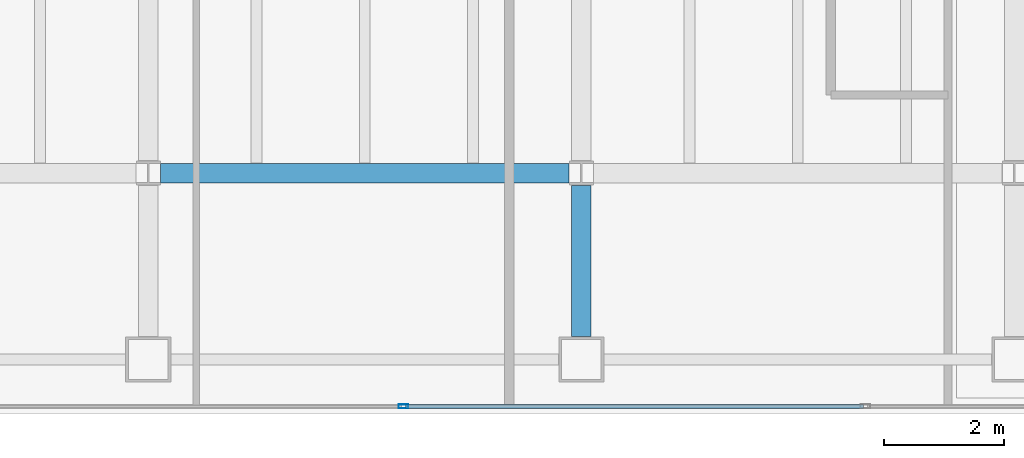
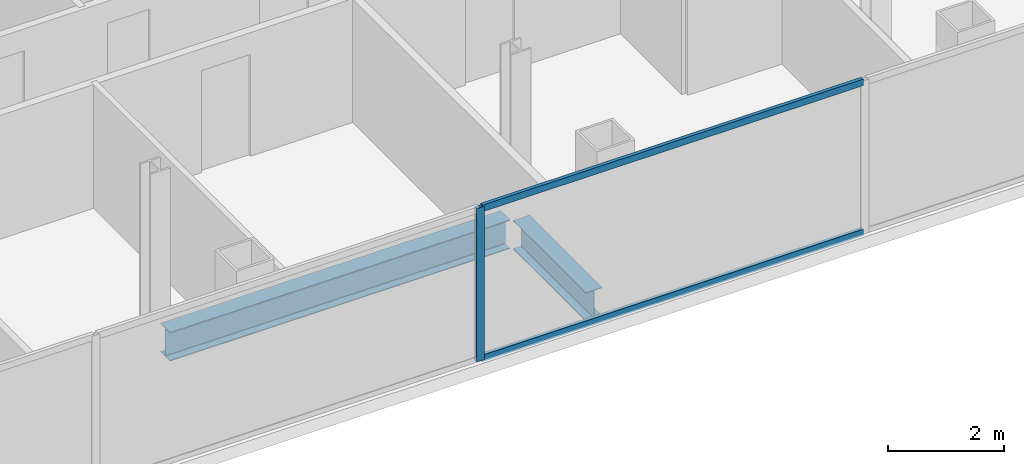
# One storey, part 6 of 23: 3 members, 2 beams, 1 element without a shape of its own.
"""IFC4 building model written with IfcOpenShell, lengths in metres."""

import ifcopenshell
import ifcopenshell.guid

model = None  # the IFC model being written
_history = None  # IfcOwnerHistory: only IFC2X3 demands one
_inside = {}  # id of a spatial element -> (the spatial element, [elements in it])
_under = {}  # id of a project, library or spatial element -> (it, [spatial elements below it])
_declared = {}  # id of a project -> (the project, [libraries it declares])
_typed = {}  # id of a type object -> (the type object, [elements of that type])
_made_of = {}  # id of a material, layer set ... -> (it, [elements and type objects made of it])


def new_model(schema):
    """Start an empty IFC model of exactly this schema.

    Asked for "IFC4X3", IfcOpenShell would pick the latest addendum, in which some entities
    have other attributes; the version numbers below select the first issue.
    IFC2X3 requires an IfcOwnerHistory on every rooted entity: one is made here for all.
    """
    global model, _history
    if schema == "IFC4X3":
        model = ifcopenshell.file(schema_version=(4, 3, 0, 0))
    else:
        model = ifcopenshell.file(schema=schema)
    _inside.clear()
    _under.clear()
    _declared.clear()
    _typed.clear()
    _made_of.clear()
    _history = None
    if model.schema == "IFC2X3":
        org = make("IfcOrganization", Name="unknown")
        user = make(
            "IfcPersonAndOrganization",
            ThePerson=make("IfcPerson", FamilyName="unknown"),
            TheOrganization=org,
        )
        app = make(
            "IfcApplication",
            ApplicationDeveloper=org,
            Version="unknown",
            ApplicationFullName="unknown",
            ApplicationIdentifier="unknown",
        )
        _history = make(
            "IfcOwnerHistory",
            OwningUser=user,
            OwningApplication=app,
            ChangeAction="ADDED",
            CreationDate=0,
        )
    return model


def make(cls, **values):
    """One entity of the class cls with the attributes given. An attribute that is None is left unset."""
    return model.create_entity(
        cls, **{name: value for name, value in values.items() if value is not None}
    )


def rooted(cls, **values):
    """An entity with a GlobalId (a new one), such as an element, a storey or a relation."""
    return make(cls, GlobalId=ifcopenshell.guid.new(), OwnerHistory=_history, **values)


def si_unit(unit_type, name, prefix=None):
    """IfcSIUnit, for example si_unit("LENGTHUNIT", "METRE", prefix="MILLI")."""
    return make("IfcSIUnit", UnitType=unit_type, Prefix=prefix, Name=name)


def assignment(units):
    """IfcUnitAssignment: the units of a project."""
    return None if units is None else make("IfcUnitAssignment", Units=units)


def point(xyz):
    """IfcCartesianPoint."""
    return None if xyz is None else make("IfcCartesianPoint", Coordinates=xyz)


def direction(xyz):
    """IfcDirection."""
    return None if xyz is None else make("IfcDirection", DirectionRatios=xyz)


def frame(location, z_axis=None, x_axis=None):
    """IfcAxis2Placement3D, a coordinate frame: its origin and axes. An axis left out is left unset."""
    return make(
        "IfcAxis2Placement3D",
        Location=point(location),
        Axis=direction(z_axis),
        RefDirection=direction(x_axis),
    )


def frame_2d(location, x_axis=None):
    """IfcAxis2Placement2D, a coordinate frame in the plane: its origin and x axis."""
    return make(
        "IfcAxis2Placement2D", Location=point(location), RefDirection=direction(x_axis)
    )


def origin():
    """The frame at (0, 0, 0) with its axes left unset."""
    return frame((0.0, 0.0, 0.0))


def origin_2d():
    """The frame at (0, 0) in the plane with its x axis left unset."""
    return frame_2d((0.0, 0.0))


def place(relative_to, where):
    """IfcLocalPlacement: puts the frame where relative to a parent placement (None: the world)."""
    return make(
        "IfcLocalPlacement", PlacementRelTo=relative_to, RelativePlacement=where
    )


def context(
    kind, dimensions, precision=None, world=None, true_north=None, identifier=None
):
    """IfcGeometricRepresentationContext, for example the 3D "Model" context."""
    return make(
        "IfcGeometricRepresentationContext",
        ContextIdentifier=identifier,
        ContextType=kind,
        CoordinateSpaceDimension=dimensions,
        Precision=precision,
        WorldCoordinateSystem=world,
        TrueNorth=true_north,
    )


def subcontext(parent, identifier, kind, view, scale=None):
    """IfcGeometricRepresentationSubContext, for example "Body" below "Model"."""
    return make(
        "IfcGeometricRepresentationSubContext",
        ContextIdentifier=identifier,
        ContextType=kind,
        ParentContext=parent,
        TargetScale=scale,
        TargetView=view,
    )


def project(units=None, contexts=None):
    """IfcProject with its units and contexts."""
    return rooted(
        "IfcProject",
        Name="project",
        RepresentationContexts=contexts,
        UnitsInContext=assignment(units),
    )


def spatial(cls, under=None, at=None, **own):
    """A site, building, storey or space (cls), placed at a placement, below another one or the project."""
    s = rooted(cls, ObjectPlacement=at, **own)
    if under is not None:
        _under.setdefault(under.id(), (under, []))[1].append(s)
    return s


def profile(cls, at=None, kind="AREA", **sizes):
    """A parametric profile (cls). Its sizes go by their IFC names, for example OverallWidth=200.0."""
    return make(cls, ProfileType=kind, Position=at, **sizes)


def hollow_rectangle(**sizes):
    """IfcRectangleHollowProfileDef."""
    return profile("IfcRectangleHollowProfileDef", **sizes)


def i_section(**sizes):
    """IfcIShapeProfileDef."""
    return profile("IfcIShapeProfileDef", **sizes)


def extrude(swept, where, along, depth):
    """IfcExtrudedAreaSolid: the profile swept, set in the frame where, extruded along a direction by depth."""
    return make(
        "IfcExtrudedAreaSolid",
        SweptArea=swept,
        Position=where,
        ExtrudedDirection=direction(along),
        Depth=depth,
    )


def shape(context_of_items, identifier, shape_type, items):
    """IfcShapeRepresentation: the items that make up one representation, for example the "Body"."""
    return make(
        "IfcShapeRepresentation",
        ContextOfItems=context_of_items,
        RepresentationIdentifier=identifier,
        RepresentationType=shape_type,
        Items=items,
    )


def material(Name=None, Category=None):
    """IfcMaterial."""
    return make("IfcMaterial", Name=Name, Category=Category)


def material_profile(
    of_material, cross_section, Name=None, Category=None, Priority=None
):
    """IfcMaterialProfile: a cross section and its material."""
    return make(
        "IfcMaterialProfile",
        Name=Name,
        Material=of_material,
        Profile=cross_section,
        Priority=Priority,
        Category=Category,
    )


def profile_set(profiles, Name=None, composite=None):
    """IfcMaterialProfileSet."""
    return make(
        "IfcMaterialProfileSet",
        Name=Name,
        MaterialProfiles=profiles,
        CompositeProfile=composite,
    )


def made_of(thing, what):
    """Note that an element or type object is made of a material, layer set ...; save() writes the relation."""
    if what is not None:
        _made_of.setdefault(what.id(), (what, []))[1].append(thing)
    return thing


def type_object(cls, material=None, **own):
    """A type object (cls), such as IfcWallType, which elements share."""
    return made_of(rooted(cls, **own), material)


def element(
    cls,
    number,
    at=None,
    inside=None,
    cuts=None,
    type_object=None,
    material=None,
    context=None,
    identifier="Body",
    shape_type=None,
    held_by="IfcProductDefinitionShape",
    body=None,
    shapes=None,
    **own,
):
    """One element of the class cls, such as IfcWall. Its Tag is "e" and its number.

    at: its placement. inside: the storey or other place that contains it. cuts: it is an
    opening in that element (IfcRelVoidsElement). A single representation is given by context,
    identifier, shape_type and body (its items); several are given by shapes. held_by: the class
    of the entity that holds the representations. save() writes the other relations.
    """
    e = rooted(cls, Tag="e%d" % number, ObjectPlacement=at, **own)
    if body is not None:
        shapes = [shape(context, identifier, shape_type, body)]
    if shapes is not None:
        e.Representation = make(held_by, Representations=shapes)
    if inside is not None:
        _inside.setdefault(inside.id(), (inside, []))[1].append(e)
    if cuts is not None:
        rooted(
            "IfcRelVoidsElement", RelatingBuildingElement=cuts, RelatedOpeningElement=e
        )
    if type_object is not None:
        _typed.setdefault(type_object.id(), (type_object, []))[1].append(e)
    return made_of(e, material)


def aggregate(whole, parts):
    """IfcRelAggregates: a whole, such as a stair, and the parts it consists of."""
    return rooted("IfcRelAggregates", RelatingObject=whole, RelatedObjects=parts)


def save(model, path):
    """Write the relations noted so far, then the file.

    IfcRelAggregates (storeys below a building ...), IfcRelContainedInSpatialStructure (elements
    in a storey), IfcRelDefinesByType, IfcRelAssociatesMaterial and IfcRelDeclares: one each for
    every whole, place, type object, material and project.
    """
    for whole, parts in _under.values():
        aggregate(whole, parts)
    for where, things in _inside.values():
        rooted(
            "IfcRelContainedInSpatialStructure",
            RelatedElements=things,
            RelatingStructure=where,
        )
    for kind, things in _typed.values():
        rooted("IfcRelDefinesByType", RelatedObjects=things, RelatingType=kind)
    for what, things in _made_of.values():
        rooted("IfcRelAssociatesMaterial", RelatedObjects=things, RelatingMaterial=what)
    for by, libraries in _declared.values():
        rooted("IfcRelDeclares", RelatingContext=by, RelatedDefinitions=libraries)
    model.write(path)


model = new_model("IFC4")

# Units and contexts
model_context = context("Model", 3, precision=1e-05, world=origin(), true_north=direction((0.0, 1.0)))
body_context = subcontext(model_context, "Body", "Model", "MODEL_VIEW")
ifc_project = project(units=[si_unit("LENGTHUNIT", "METRE"), si_unit("AREAUNIT", "SQUARE_METRE"), si_unit("VOLUMEUNIT", "CUBIC_METRE"), si_unit("PLANEANGLEUNIT", "RADIAN"), si_unit("MASSUNIT", "GRAM", prefix="KILO")], contexts=[model_context])

# Site, building, storey
site_placement = place(None, origin())
site = spatial("IfcSite", under=ifc_project, at=site_placement, CompositionType="ELEMENT")
building_placement = place(site_placement, origin())
building = spatial("IfcBuilding", under=site, at=building_placement, Name="Cobrela Telecom Tower", CompositionType="ELEMENT")
storey_placement = place(building_placement, frame((0.0, 0.0, 218.75)))
storey = spatial("IfcBuildingStorey", under=building, at=storey_placement, Name="L56", CompositionType="ELEMENT", Elevation=218.75)

# Beams
ifc_material_1 = material(Name="Steel ASTM A992 Grade 50", Category="steel")
ifc_material_profile_1 = material_profile(ifc_material_1, i_section(OverallWidth=0.324951171875, OverallDepth=0.612060546875, WebThickness=0.0126953125, FlangeThickness=0.01904296875, FilletRadius=0.014892578125, at=origin_2d()), Name="W24X104")
ifc_profile_set_1 = profile_set([ifc_material_profile_1], Name="Steel ASTM A992 Grade 50")
beam_type = type_object("IfcBeamType", Name="BM-GIRD-07", PredefinedType="USERDEFINED", material=ifc_profile_set_1)
beam_1_placement = place(storey_placement, frame((21.804443359375, 7.199951171875, -0.56591796875), z_axis=(1.0, 0.0, 0.0), x_axis=(0.0, 1.0, 0.0)))
element("IfcBeam", 1, at=beam_1_placement, inside=storey, type_object=beam_type, Name="L56 Primary Girder X08", ObjectType="GIRDER", PredefinedType="USERDEFINED", context=body_context, shape_type="SweptSolid", body=[
    extrude(i_section(OverallWidth=0.324951171875, OverallDepth=0.612060546875, WebThickness=0.0126953125, FlangeThickness=0.01904296875, FilletRadius=0.014892578125, at=origin_2d()), origin(), (0.0, 0.0, 1.0), 6.791015625),
])
beam_2_placement = place(storey_placement, frame((28.800048828125, 4.47998046875, -0.56591796875), z_axis=(0.0, 1.0, 0.0), x_axis=(-1.0, 0.0, 0.0)))
element("IfcBeam", 2, at=beam_2_placement, inside=storey, type_object=beam_type, Name="L56 Primary Girder Y36", ObjectType="GIRDER", PredefinedType="USERDEFINED", context=body_context, shape_type="SweptSolid", body=[
    extrude(i_section(OverallWidth=0.324951171875, OverallDepth=0.612060546875, WebThickness=0.0126953125, FlangeThickness=0.01904296875, FilletRadius=0.014892578125, at=origin_2d()), origin(), (0.0, 0.0, 1.0), 2.515625),
])

# Curtain wall, members
ifc_material_2 = material(Name="Anodized Bronze Aluminium 6063-T6", Category="aluminium")
curtain_wall_type = type_object("IfcCurtainWallType", Name="CW-SYS-OFF-LO", PredefinedType="USERDEFINED", material=ifc_material_2)
curtain_wall_placement = place(storey_placement, origin())
curtain_wall = element("IfcCurtainWall", 3, at=curtain_wall_placement, inside=storey, type_object=curtain_wall_type, Name="L56 Unitised Bronze Curtain Wall 17", ObjectType="UNITISED CURTAIN WALL", PredefinedType="USERDEFINED")
ifc_material_profile_2 = material_profile(ifc_material_2, hollow_rectangle(XDim=0.070068359375, YDim=0.159912109375, WallThickness=0.00390625, at=origin_2d()), Name="ALU 70x160x4")
ifc_profile_set_2 = profile_set([ifc_material_profile_2], Name="Anodized Bronze Aluminium 6063-T6")
member_type_1 = type_object("IfcMemberType", Name="CW-SYS-OFF-LO-MUL", PredefinedType="MULLION", material=ifc_profile_set_2)
member_1_placement = place(storey_placement, frame((25.842041015625, 3.320068359375, 0.0), z_axis=(0.0, 0.0, 1.0), x_axis=(0.0, -1.0, 0.0)))
member_1 = element("IfcMember", 4, at=member_1_placement, type_object=member_type_1, Name="CW-OFF-LO mullion 3", PredefinedType="MULLION", context=body_context, shape_type="SweptSolid", body=[
    extrude(hollow_rectangle(XDim=0.070068359375, YDim=0.159912109375, WallThickness=0.00390625, at=origin_2d()), origin(), (0.0, 0.0, 1.0), 3.239990234375),
])
ifc_material_profile_3 = material_profile(ifc_material_2, hollow_rectangle(XDim=0.070068359375, YDim=0.139892578125, WallThickness=0.00390625, at=origin_2d()), Name="ALU 70x140x4")
ifc_profile_set_3 = profile_set([ifc_material_profile_3], Name="Anodized Bronze Aluminium 6063-T6")
member_type_2 = type_object("IfcMemberType", Name="CW-SYS-OFF-LO-TRN", PredefinedType="USERDEFINED", material=ifc_profile_set_3)
member_2_placement = place(storey_placement, frame((33.490966796875, 3.320068359375, 0.034912109375), z_axis=(-1.0, 0.0, 0.0), x_axis=(0.0, -1.0, 0.0)))
member_2 = element("IfcMember", 5, at=member_2_placement, type_object=member_type_2, Name="CW-OFF-LO transom 2.1", ObjectType="TRANSOM", PredefinedType="USERDEFINED", context=body_context, shape_type="SweptSolid", body=[
    extrude(hollow_rectangle(XDim=0.070068359375, YDim=0.139892578125, WallThickness=0.00390625, at=origin_2d()), origin(), (0.0, 0.0, 1.0), 7.614013671875),
])
member_3_placement = place(storey_placement, frame((33.490966796875, 3.320068359375, 3.205078125), z_axis=(-1.0, 0.0, 0.0), x_axis=(0.0, -1.0, 0.0)))
member_3 = element("IfcMember", 6, at=member_3_placement, type_object=member_type_2, Name="CW-OFF-LO transom 2.2", ObjectType="TRANSOM", PredefinedType="USERDEFINED", context=body_context, shape_type="SweptSolid", body=[
    extrude(hollow_rectangle(XDim=0.070068359375, YDim=0.139892578125, WallThickness=0.00390625, at=origin_2d()), origin(), (0.0, 0.0, 1.0), 7.614013671875),
])
aggregate(curtain_wall, [member_1, member_2, member_3])

save(model, "model.ifc")
